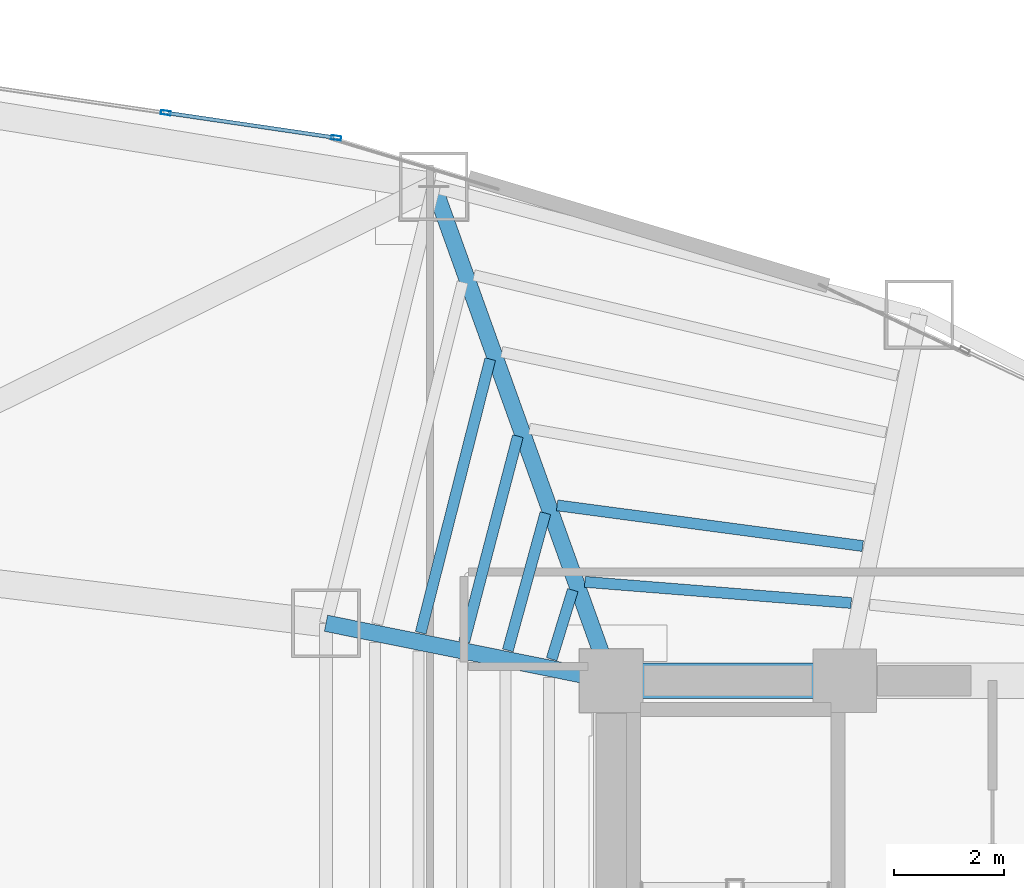
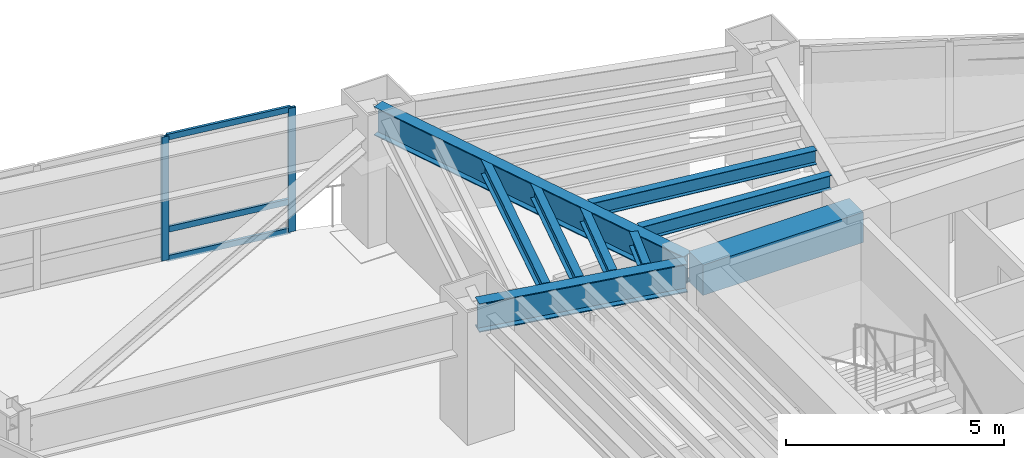
# One storey, part 12 of 23: 9 beams, 5 members, 1 element without a shape of its own.
"""IFC4 building model written with IfcOpenShell, lengths in metres."""

from ifc_helpers import new_model, si_unit, direction, frame, origin, origin_2d, place, context, subcontext, project, spatial, rectangle, hollow_rectangle, i_section, extrude, material, layer, layer_set, material_profile, profile_set, type_object, element, aggregate, save


model = new_model("IFC4")

# Units and contexts
model_context = context("Model", 3, precision=1e-05, world=origin(), true_north=direction((0.0, 1.0)))
body_context = subcontext(model_context, "Body", "Model", "MODEL_VIEW")
ifc_project = project(units=[si_unit("LENGTHUNIT", "METRE"), si_unit("AREAUNIT", "SQUARE_METRE"), si_unit("VOLUMEUNIT", "CUBIC_METRE"), si_unit("PLANEANGLEUNIT", "RADIAN"), si_unit("MASSUNIT", "GRAM", prefix="KILO")], contexts=[model_context])

# Site, building, storey
site_placement = place(None, origin())
site = spatial("IfcSite", under=ifc_project, at=site_placement, CompositionType="ELEMENT")
building_placement = place(site_placement, origin())
building = spatial("IfcBuilding", under=site, at=building_placement, Name="Menara Vayukalpa", CompositionType="ELEMENT")
storey_placement = place(building_placement, frame((0.0, 0.0, 107.699951171875)))
storey = spatial("IfcBuildingStorey", under=building, at=storey_placement, Name="L26", CompositionType="ELEMENT", Elevation=107.699951171875)

# Beams
ifc_material_1 = material(Name="Concrete C60/75", Category="concrete")
ifc_material_profile_1 = material_profile(ifc_material_1, rectangle(XDim=0.64990234375, YDim=0.85009765625, at=origin_2d()), Name="RC 650x850")
ifc_profile_set_1 = profile_set([ifc_material_profile_1], Name="Concrete C60/75")
beam_type_1 = type_object("IfcBeamType", Name="BM-CB1", PredefinedType="BEAM", material=ifc_profile_set_1)
beam_1_placement = place(storey_placement, frame((17.800048828125, 26.800048828125, 3.045166015625), z_axis=(1.0, 0.0, 0.0), x_axis=(0.0, 1.0, 0.0)))
element("IfcBeam", 1, at=beam_1_placement, inside=storey, type_object=beam_type_1, Name="L26 Core Tie Beam CBR4", PredefinedType="BEAM", context=body_context, shape_type="SweptSolid", body=[
    extrude(rectangle(XDim=0.64990234375, YDim=0.85009765625, at=origin_2d()), origin(), (0.0, 0.0, 1.0), 4.25),
])
ifc_material_2 = material(Name="Steel S355", Category="steel")
ifc_material_profile_2 = material_profile(ifc_material_2, i_section(OverallWidth=0.300048828125, OverallDepth=0.800048828125, WebThickness=0.013916015625, FlangeThickness=0.02587890625, at=origin_2d()), Name="WF 800x300x14x26")
ifc_profile_set_2 = profile_set([ifc_material_profile_2], Name="Steel S355")
beam_type_2 = type_object("IfcBeamType", Name="BM-PG3", PredefinedType="BEAM", material=ifc_profile_set_2)
beam_2_placement = place(storey_placement, frame((17.715576171875, 27.035400390625, 3.070068359375), z_axis=(-0.337975542909, 0.941154892882, 0.0), x_axis=(-0.941154892882, -0.337975542909, 0.0)))
element("IfcBeam", 2, at=beam_2_placement, inside=storey, type_object=beam_type_2, Name="L26 Primary Radial Girder RG04", PredefinedType="BEAM", context=body_context, shape_type="SweptSolid", body=[
    extrude(i_section(OverallWidth=0.300048828125, OverallDepth=0.800048828125, WebThickness=0.013916015625, FlangeThickness=0.02587890625, at=origin_2d()), origin(), (0.0, 0.0, 1.0), 9.309814453125),
])
beam_3_placement = place(storey_placement, frame((17.554931640625, 26.849365234375, 3.070068359375), z_axis=(-0.980324984906, 0.197390283373, 0.0), x_axis=(-0.197390283373, -0.980324984906, 0.0)))
element("IfcBeam", 3, at=beam_3_placement, inside=storey, type_object=beam_type_2, Name="L26 Primary Radial Girder RG05", PredefinedType="BEAM", context=body_context, shape_type="SweptSolid", body=[
    extrude(i_section(OverallWidth=0.300048828125, OverallDepth=0.800048828125, WebThickness=0.013916015625, FlangeThickness=0.02587890625, at=origin_2d()), origin(), (0.0, 0.0, 1.0), 5.047607421875),
])
ifc_material_3 = material(Name="Steel S355", Category="steel")
ifc_material_profile_3 = material_profile(ifc_material_3, i_section(OverallWidth=0.199951171875, OverallDepth=0.39990234375, WebThickness=0.008056640625, FlangeThickness=0.012939453125, at=origin_2d()), Name="WF 400x200x8x13")
ifc_profile_set_3 = profile_set([ifc_material_profile_3], Name="Steel S355")
beam_type_3 = type_object("IfcBeamType", Name="BM-SJ2", PredefinedType="JOIST", material=ifc_profile_set_3)
beam_4_placement = place(storey_placement, frame((22.166015625, 28.214599609375, 3.27001953125), z_axis=(-0.996868534468, 0.079076703187, 0.0), x_axis=(-0.079076703187, -0.996868534468, 0.0)))
element("IfcBeam", 4, at=beam_4_placement, inside=storey, type_object=beam_type_3, Name="L26 Secondary Floor Joist SJ03-1", PredefinedType="JOIST", context=body_context, shape_type="SweptSolid", body=[
    extrude(i_section(OverallWidth=0.199951171875, OverallDepth=0.39990234375, WebThickness=0.008056640625, FlangeThickness=0.012939453125, at=origin_2d()), origin(), (0.0, 0.0, 1.0), 4.862548828125),
])
beam_5_placement = place(storey_placement, frame((22.376220703125, 29.251220703125, 3.27001953125), z_axis=(-0.991248408809, 0.132009817941, 0.0), x_axis=(-0.132009817941, -0.991248408809, 0.0)))
element("IfcBeam", 5, at=beam_5_placement, inside=storey, type_object=beam_type_3, Name="L26 Secondary Floor Joist SJ03-2", PredefinedType="JOIST", context=body_context, shape_type="SweptSolid", body=[
    extrude(i_section(OverallWidth=0.199951171875, OverallDepth=0.39990234375, WebThickness=0.008056640625, FlangeThickness=0.012939453125, at=origin_2d()), origin(), (0.0, 0.0, 1.0), 5.611083984375),
])
beam_6_placement = place(storey_placement, frame((17.099365234375, 28.449951171875, 3.27001953125), z_axis=(-0.292651981473, -0.956219021846, 0.0), x_axis=(0.956219021846, -0.292651981473, 0.0)))
element("IfcBeam", 6, at=beam_6_placement, inside=storey, type_object=beam_type_3, Name="L26 Secondary Floor Joist SJ04-1", PredefinedType="JOIST", context=body_context, shape_type="SweptSolid", body=[
    extrude(i_section(OverallWidth=0.199951171875, OverallDepth=0.39990234375, WebThickness=0.008056640625, FlangeThickness=0.012939453125, at=origin_2d()), origin(), (0.0, 0.0, 1.0), 1.31640625),
])
beam_7_placement = place(storey_placement, frame((16.600830078125, 29.850341796875, 3.27001953125), z_axis=(-0.263922858843, -0.964543790908, 0.0), x_axis=(0.964543790908, -0.263922858843, 0.0)))
element("IfcBeam", 7, at=beam_7_placement, inside=storey, type_object=beam_type_3, Name="L26 Secondary Floor Joist SJ04-2", PredefinedType="JOIST", context=body_context, shape_type="SweptSolid", body=[
    extrude(i_section(OverallWidth=0.199951171875, OverallDepth=0.39990234375, WebThickness=0.008056640625, FlangeThickness=0.012939453125, at=origin_2d()), origin(), (0.0, 0.0, 1.0), 2.590087890625),
])
beam_8_placement = place(storey_placement, frame((16.099365234375, 31.251953125, 3.27001953125), z_axis=(-0.252406469257, -0.967621296933, 0.0), x_axis=(0.967621296933, -0.252406469257, 0.0)))
element("IfcBeam", 8, at=beam_8_placement, inside=storey, type_object=beam_type_3, Name="L26 Secondary Floor Joist SJ04-3", PredefinedType="JOIST", context=body_context, shape_type="SweptSolid", body=[
    extrude(i_section(OverallWidth=0.199951171875, OverallDepth=0.39990234375, WebThickness=0.008056640625, FlangeThickness=0.012939453125, at=origin_2d()), origin(), (0.0, 0.0, 1.0), 3.865234375),
])
beam_9_placement = place(storey_placement, frame((15.596923828125, 32.653564453125, 3.27001953125), z_axis=(-0.246311066692, -0.969190826631, 0.0), x_axis=(0.969190826631, -0.246311066692, 0.0)))
element("IfcBeam", 9, at=beam_9_placement, inside=storey, type_object=beam_type_3, Name="L26 Secondary Floor Joist SJ04-4", PredefinedType="JOIST", context=body_context, shape_type="SweptSolid", body=[
    extrude(i_section(OverallWidth=0.199951171875, OverallDepth=0.39990234375, WebThickness=0.008056640625, FlangeThickness=0.012939453125, at=origin_2d()), origin(), (0.0, 0.0, 1.0), 5.140380859375),
])

# Curtain wall, members
ifc_material_4 = material(Name="Anodised Terracotta Aluminium Alloy 6063-T6", Category="masonry")
ifc_layer = layer(ifc_material_4, 0.179931640625)
ifc_layer_set = layer_set([ifc_layer], Name="Anodised Terracotta Aluminium Alloy 6063-T6")
curtain_wall_type = type_object("IfcCurtainWallType", Name="CW-CW4", PredefinedType="USERDEFINED", material=ifc_layer_set)
curtain_wall_placement = place(storey_placement, origin())
curtain_wall = element("IfcCurtainWall", 10, at=curtain_wall_placement, inside=storey, type_object=curtain_wall_type, Name="L26 Sky Bar Cantilever Glazed Curtain Wall CW4 07", ObjectType="UNITISED", PredefinedType="USERDEFINED")
ifc_material_5 = material(Name="Anodised Terracotta Aluminium Alloy 6063-T6", Category="masonry")
ifc_material_profile_4 = material_profile(ifc_material_5, hollow_rectangle(XDim=0.074951171875, YDim=0.179931640625, WallThickness=0.00390625, at=origin_2d()), Name="ALU 75x180x4")
ifc_profile_set_4 = profile_set([ifc_material_profile_4], Name="Anodised Terracotta Aluminium Alloy 6063-T6")
member_type_1 = type_object("IfcMemberType", Name="CWM-CW4", PredefinedType="MULLION", material=ifc_profile_set_4)
member_1_placement = place(storey_placement, frame((12.792236328125, 36.681396484375, 0.0), z_axis=(0.0, 0.0, 1.0), x_axis=(-0.145450733924, -0.989365495659, 0.0)))
member_1 = element("IfcMember", 11, at=member_1_placement, type_object=member_type_1, Name="CW4 mullion 1", PredefinedType="MULLION", context=body_context, shape_type="SweptSolid", body=[
    extrude(hollow_rectangle(XDim=0.074951171875, YDim=0.179931640625, WallThickness=0.00390625, at=origin_2d()), origin(), (0.0, 0.0, 1.0), 3.469970703125),
])
member_2_placement = place(storey_placement, frame((9.690673828125, 37.137451171875, 0.0), z_axis=(0.0, 0.0, 1.0), x_axis=(-0.145450733924, -0.989365495659, 0.0)))
member_2 = element("IfcMember", 12, at=member_2_placement, type_object=member_type_1, Name="CW4 mullion 2", PredefinedType="MULLION", context=body_context, shape_type="SweptSolid", body=[
    extrude(hollow_rectangle(XDim=0.074951171875, YDim=0.179931640625, WallThickness=0.00390625, at=origin_2d()), origin(), (0.0, 0.0, 1.0), 3.469970703125),
])
ifc_material_6 = material(Name="Anodised Terracotta Aluminium Alloy 6063-T6", Category="masonry")
ifc_material_profile_5 = material_profile(ifc_material_6, hollow_rectangle(XDim=0.070068359375, YDim=0.1650390625, WallThickness=0.00390625, at=origin_2d()), Name="ALU 70x165x4")
ifc_profile_set_5 = profile_set([ifc_material_profile_5], Name="Anodised Terracotta Aluminium Alloy 6063-T6")
member_type_2 = type_object("IfcMemberType", Name="CWT-CW4", PredefinedType="USERDEFINED", material=ifc_profile_set_5)
member_3_placement = place(storey_placement, frame((12.755126953125, 36.68701171875, 0.03515625), z_axis=(-0.989365214837, 0.145452644084, 0.0), x_axis=(-0.145452644084, -0.989365214837, 0.0)))
member_3 = element("IfcMember", 13, at=member_3_placement, type_object=member_type_2, Name="CW4 transom 1.1", ObjectType="TRANSOM", PredefinedType="USERDEFINED", context=body_context, shape_type="SweptSolid", body=[
    extrude(hollow_rectangle(XDim=0.070068359375, YDim=0.1650390625, WallThickness=0.00390625, at=origin_2d()), origin(), (0.0, 0.0, 1.0), 3.059814453125),
])
member_4_placement = place(storey_placement, frame((12.755126953125, 36.68701171875, 0.85009765625), z_axis=(-0.989365214837, 0.145452644084, 0.0), x_axis=(-0.145452644084, -0.989365214837, 0.0)))
member_4 = element("IfcMember", 14, at=member_4_placement, type_object=member_type_2, Name="CW4 transom 1.2", ObjectType="TRANSOM", PredefinedType="USERDEFINED", context=body_context, shape_type="SweptSolid", body=[
    extrude(hollow_rectangle(XDim=0.070068359375, YDim=0.1650390625, WallThickness=0.00390625, at=origin_2d()), origin(), (0.0, 0.0, 1.0), 3.059814453125),
])
member_5_placement = place(storey_placement, frame((12.755126953125, 36.68701171875, 3.43505859375), z_axis=(-0.989365214837, 0.145452644084, 0.0), x_axis=(-0.145452644084, -0.989365214837, 0.0)))
member_5 = element("IfcMember", 15, at=member_5_placement, type_object=member_type_2, Name="CW4 transom 1.3", ObjectType="TRANSOM", PredefinedType="USERDEFINED", context=body_context, shape_type="SweptSolid", body=[
    extrude(hollow_rectangle(XDim=0.070068359375, YDim=0.1650390625, WallThickness=0.00390625, at=origin_2d()), origin(), (0.0, 0.0, 1.0), 3.059814453125),
])
aggregate(curtain_wall, [member_1, member_2, member_3, member_4, member_5])

save(model, "model.ifc")
